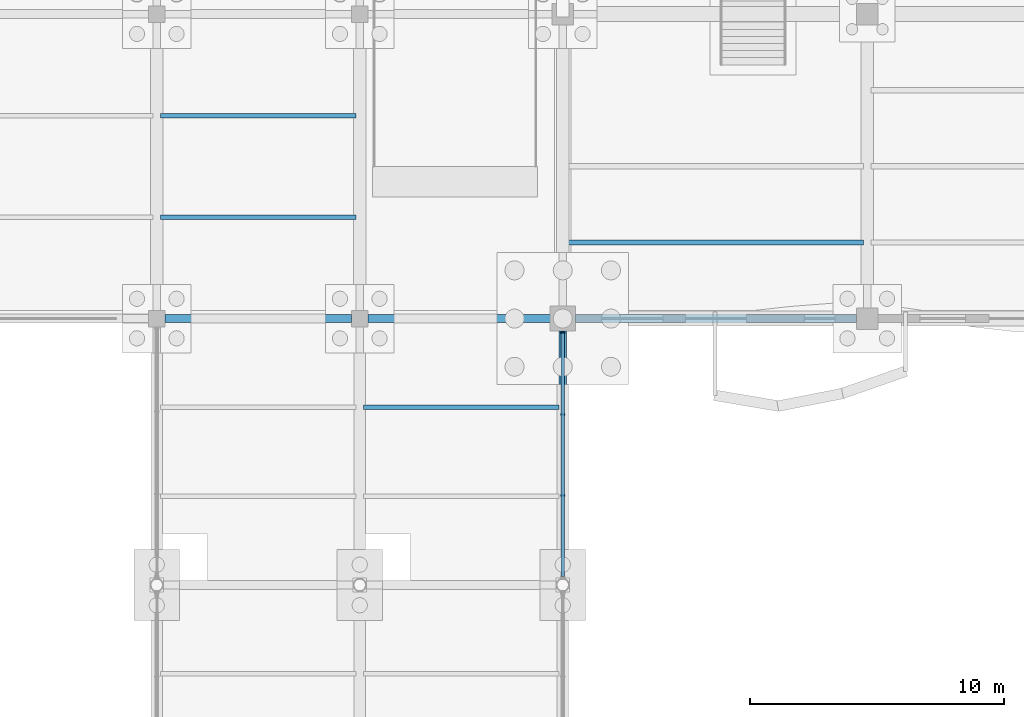
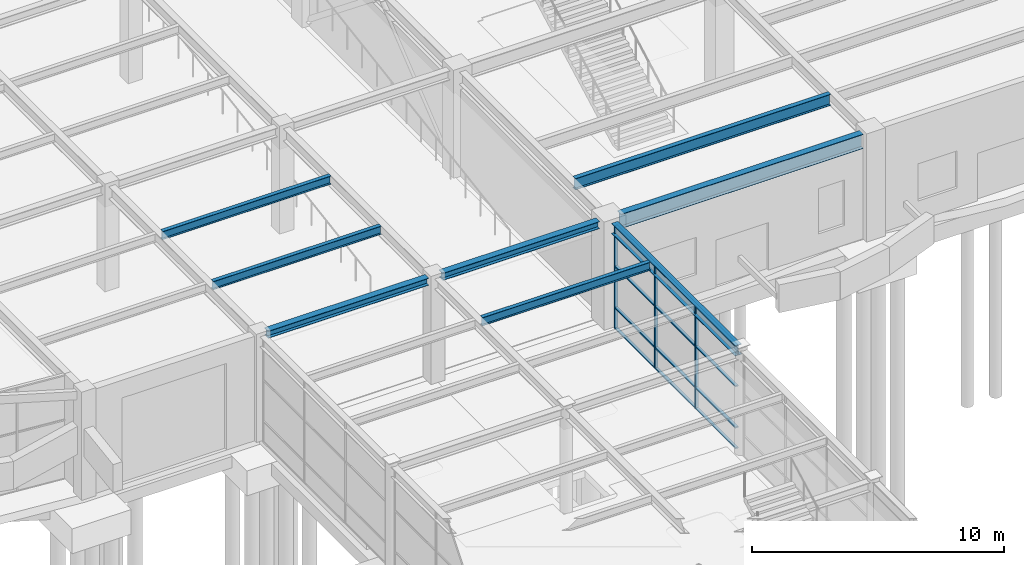
# One storey, part 28 of 85: 8 beams, 7 members, 1 element without a shape of its own.
"""IFC4 building model written with IfcOpenShell, lengths in metres."""

from ifc_helpers import new_model, si_unit, direction, frame, origin, origin_2d, place, context, subcontext, project, spatial, rectangle, i_section, extrude, material, layer, layer_set, material_profile, profile_set, type_object, element, aggregate, save


model = new_model("IFC4")

# Units and contexts
model_context = context("Model", 3, precision=1e-05, world=origin(), true_north=direction((0.0, 1.0)))
body_context = subcontext(model_context, "Body", "Model", "MODEL_VIEW")
ifc_project = project(units=[si_unit("LENGTHUNIT", "METRE"), si_unit("AREAUNIT", "SQUARE_METRE"), si_unit("VOLUMEUNIT", "CUBIC_METRE"), si_unit("PLANEANGLEUNIT", "RADIAN"), si_unit("MASSUNIT", "GRAM", prefix="KILO")], contexts=[model_context])

# Site, building, storey
site_placement = place(None, origin())
site = spatial("IfcSite", under=ifc_project, at=site_placement, CompositionType="ELEMENT")
building_placement = place(site_placement, origin())
building = spatial("IfcBuilding", under=site, at=building_placement, Name="Keelwater Ferry Terminal", CompositionType="ELEMENT")
storey_placement = place(building_placement, origin())
storey = spatial("IfcBuildingStorey", under=building, at=storey_placement, Name="L00", CompositionType="ELEMENT", Elevation=0.0)

# Curtain wall, members
ifc_material_1 = material(Name="Thermally broken unitised aluminium and triple glass", Category="aluminium")
ifc_layer = layer(ifc_material_1, 0.179931640625)
ifc_layer_set = layer_set([ifc_layer], Name="Thermally broken unitised aluminium and triple glass")
curtain_wall_type = type_object("IfcCurtainWallType", Name="CW-12 Unitised Curtain Wall 9596x4950", PredefinedType="USERDEFINED", material=ifc_layer_set)
curtain_wall_placement = place(storey_placement, origin())
curtain_wall = element("IfcCurtainWall", 1, at=curtain_wall_placement, inside=storey, type_object=curtain_wall_type, Name="Unitised Curtain Wall CW-L00-057", ObjectType="UNITISED CURTAIN WALL", PredefinedType="USERDEFINED")
ifc_material_2 = material(Name="Aluminium mullion", Category="aluminium")
ifc_material_profile_1 = material_profile(ifc_material_2, rectangle(XDim=0.06005859375, YDim=0.14990234375, at=origin_2d()), Name="CWM-03")
ifc_profile_set_1 = profile_set([ifc_material_profile_1], Name="Aluminium mullion")
member_type_1 = type_object("IfcMemberType", Name="CWM-03 Curtain Mullion 60x150", PredefinedType="MULLION", material=ifc_profile_set_1)
member_1_placement = place(storey_placement, frame((48.0, 35.027587890625, 0.0), z_axis=(0.0, 0.0, 1.0), x_axis=(0.0, 1.0, 0.0)))
member_1 = element("IfcMember", 2, at=member_1_placement, type_object=member_type_1, Name="CW-L00-057 Mullion 2", PredefinedType="MULLION", context=body_context, shape_type="SweptSolid", body=[
    extrude(rectangle(XDim=0.06005859375, YDim=0.14990234375, at=origin_2d()), origin(), (0.0, 0.0, 1.0), 4.949951171875),
])
member_2_placement = place(storey_placement, frame((48.0, 38.226318359375, 0.0), z_axis=(0.0, 0.0, 1.0), x_axis=(0.0, 1.0, 0.0)))
member_2 = element("IfcMember", 3, at=member_2_placement, type_object=member_type_1, Name="CW-L00-057 Mullion 3", PredefinedType="MULLION", context=body_context, shape_type="SweptSolid", body=[
    extrude(rectangle(XDim=0.06005859375, YDim=0.14990234375, at=origin_2d()), origin(), (0.0, 0.0, 1.0), 4.949951171875),
])
member_3_placement = place(storey_placement, frame((48.0, 41.425048828125, 0.0), z_axis=(0.0, 0.0, 1.0), x_axis=(0.0, 1.0, 0.0)))
member_3 = element("IfcMember", 4, at=member_3_placement, type_object=member_type_1, Name="CW-L00-057 Mullion 4", PredefinedType="MULLION", context=body_context, shape_type="SweptSolid", body=[
    extrude(rectangle(XDim=0.06005859375, YDim=0.14990234375, at=origin_2d()), origin(), (0.0, 0.0, 1.0), 4.949951171875),
])
ifc_material_3 = material(Name="Aluminium mullion", Category="aluminium")
ifc_material_profile_2 = material_profile(ifc_material_3, rectangle(XDim=0.135009765625, YDim=0.06005859375, at=origin_2d()), Name="CWT-03")
ifc_profile_set_2 = profile_set([ifc_material_profile_2], Name="Aluminium mullion")
member_type_2 = type_object("IfcMemberType", Name="CWT-03 Curtain Transom 60x135", PredefinedType="USERDEFINED", material=ifc_profile_set_2)
member_4_placement = place(storey_placement, frame((48.0, 31.8291015625, 0.0), z_axis=(0.0, 1.0, 0.0), x_axis=(-1.0, 0.0, 0.0)))
member_4 = element("IfcMember", 5, at=member_4_placement, type_object=member_type_2, Name="CW-L00-057 Transom 1", ObjectType="TRANSOM", PredefinedType="USERDEFINED", context=body_context, shape_type="SweptSolid", body=[
    extrude(rectangle(XDim=0.135009765625, YDim=0.06005859375, at=origin_2d()), origin(), (0.0, 0.0, 1.0), 9.595947265625),
])
member_5_placement = place(storey_placement, frame((48.0, 31.8291015625, 1.0), z_axis=(0.0, 1.0, 0.0), x_axis=(-1.0, 0.0, 0.0)))
member_5 = element("IfcMember", 6, at=member_5_placement, type_object=member_type_2, Name="CW-L00-057 Transom 2", ObjectType="TRANSOM", PredefinedType="USERDEFINED", context=body_context, shape_type="SweptSolid", body=[
    extrude(rectangle(XDim=0.135009765625, YDim=0.06005859375, at=origin_2d()), origin(), (0.0, 0.0, 1.0), 9.595947265625),
])
member_6_placement = place(storey_placement, frame((48.0, 31.8291015625, 3.0), z_axis=(0.0, 1.0, 0.0), x_axis=(-1.0, 0.0, 0.0)))
member_6 = element("IfcMember", 7, at=member_6_placement, type_object=member_type_2, Name="CW-L00-057 Transom 3", ObjectType="TRANSOM", PredefinedType="USERDEFINED", context=body_context, shape_type="SweptSolid", body=[
    extrude(rectangle(XDim=0.135009765625, YDim=0.06005859375, at=origin_2d()), origin(), (0.0, 0.0, 1.0), 9.595947265625),
])
member_7_placement = place(storey_placement, frame((48.0, 31.8291015625, 4.949951171875), z_axis=(0.0, 1.0, 0.0), x_axis=(-1.0, 0.0, 0.0)))
member_7 = element("IfcMember", 8, at=member_7_placement, type_object=member_type_2, Name="CW-L00-057 Transom 4", ObjectType="TRANSOM", PredefinedType="USERDEFINED", context=body_context, shape_type="SweptSolid", body=[
    extrude(rectangle(XDim=0.135009765625, YDim=0.06005859375, at=origin_2d()), origin(), (0.0, 0.0, 1.0), 9.595947265625),
])
aggregate(curtain_wall, [member_1, member_2, member_3, member_4, member_5, member_6, member_7])

# Beams
ifc_material_4 = material(Name="Steel S355", Category="steel")
ifc_material_profile_3 = material_profile(ifc_material_4, i_section(OverallWidth=0.300048828125, OverallDepth=0.699951171875, WebThickness=0.01708984375, FlangeThickness=0.031982421875, at=origin_2d()), Name="HEB 700")
ifc_profile_set_3 = profile_set([ifc_material_profile_3], Name="Steel S355")
beam_type_1 = type_object("IfcBeamType", Name="G2E HEB 700", PredefinedType="BEAM", material=ifc_profile_set_3)
beam_1_placement = place(storey_placement, frame((48.489990234375, 42.0, 4.7099609375), z_axis=(1.0, 0.0, 0.0), x_axis=(0.0, 1.0, 0.0)))
element("IfcBeam", 9, at=beam_1_placement, inside=storey, type_object=beam_type_1, Name="Beam BM-L00-0020", PredefinedType="BEAM", context=body_context, shape_type="SweptSolid", body=[
    extrude(i_section(OverallWidth=0.300048828125, OverallDepth=0.699951171875, WebThickness=0.01708984375, FlangeThickness=0.031982421875, at=origin_2d()), origin(), (0.0, 0.0, 1.0), 11.093994140625),
])
ifc_material_5 = material(Name="Steel S355", Category="steel")
ifc_material_profile_4 = material_profile(ifc_material_5, i_section(OverallWidth=0.300048828125, OverallDepth=0.5, WebThickness=0.014404296875, FlangeThickness=0.028076171875, at=origin_2d()), Name="HEB 500")
ifc_profile_set_4 = profile_set([ifc_material_profile_4], Name="Steel S355")
beam_type_2 = type_object("IfcBeamType", Name="G5E HEB 500", PredefinedType="BEAM", material=ifc_profile_set_4)
beam_2_placement = place(storey_placement, frame((48.0, 31.7080078125, 4.81005859375), z_axis=(0.0, 1.0, 0.0), x_axis=(-1.0, 0.0, 0.0)))
element("IfcBeam", 10, at=beam_2_placement, inside=storey, type_object=beam_type_2, Name="Beam BM-L00-0187", PredefinedType="BEAM", context=body_context, shape_type="SweptSolid", body=[
    extrude(i_section(OverallWidth=0.300048828125, OverallDepth=0.5, WebThickness=0.014404296875, FlangeThickness=0.028076171875, at=origin_2d()), origin(), (0.0, 0.0, 1.0), 9.802001953125),
])
ifc_material_6 = material(Name="Steel S355", Category="steel")
ifc_material_profile_5 = material_profile(ifc_material_6, i_section(OverallWidth=0.2099609375, OverallDepth=0.550048828125, WebThickness=0.010986328125, FlangeThickness=0.01708984375, at=origin_2d()), Name="IPE 550")
ifc_profile_set_5 = profile_set([ifc_material_profile_5], Name="Steel S355")
beam_type_3 = type_object("IfcBeamType", Name="J2 IPE 550", PredefinedType="JOIST", material=ifc_profile_set_5)
beam_3_placement = place(storey_placement, frame((48.14990234375, 45.0, 4.784912109375), z_axis=(1.0, 0.0, 0.0), x_axis=(0.0, 1.0, 0.0)))
element("IfcBeam", 11, at=beam_3_placement, inside=storey, type_object=beam_type_3, Name="Beam BM-L00-0346", PredefinedType="JOIST", context=body_context, shape_type="SweptSolid", body=[
    extrude(i_section(OverallWidth=0.2099609375, OverallDepth=0.550048828125, WebThickness=0.010986328125, FlangeThickness=0.01708984375, at=origin_2d()), origin(), (0.0, 0.0, 1.0), 11.7001953125),
])
ifc_material_7 = material(Name="Steel S355", Category="steel")
ifc_material_profile_6 = material_profile(ifc_material_7, i_section(OverallWidth=0.179931640625, OverallDepth=0.39990234375, WebThickness=0.008544921875, FlangeThickness=0.013427734375, at=origin_2d()), Name="IPE 400")
ifc_profile_set_6 = profile_set([ifc_material_profile_6], Name="Steel S355")
beam_type_4 = type_object("IfcBeamType", Name="J5 IPE 400", PredefinedType="JOIST", material=ifc_profile_set_6)
for number, where, z_axis, x_axis, name in (
    (12, (32.14990234375, 46.0, 4.860107421875), (1.0, 0.0, 0.0), (0.0, 1.0, 0.0), "Beam BM-L00-0326"),
    (13, (32.14990234375, 50.0, 4.860107421875), (1.0, 0.0, 0.0), (0.0, 1.0, 0.0), "Beam BM-L00-0327"),
    (14, (40.14990234375, 38.5, 4.860107421875), (1.0, 0.0, 0.0), (0.0, 1.0, 0.0), "Beam BM-L00-0341"),
):
    element("IfcBeam", number, at=place(storey_placement, frame(where, z_axis=z_axis, x_axis=x_axis)), inside=storey, type_object=beam_type_4, Name=name, PredefinedType="JOIST", context=body_context, shape_type="SweptSolid", body=[
        extrude(i_section(OverallWidth=0.179931640625, OverallDepth=0.39990234375, WebThickness=0.008544921875, FlangeThickness=0.013427734375, at=origin_2d()), origin(), (0.0, 0.0, 1.0), 7.7001953125),
    ])
ifc_material_8 = material(Name="Steel S355", Category="steel")
ifc_material_profile_7 = material_profile(ifc_material_8, i_section(OverallWidth=0.300048828125, OverallDepth=0.35009765625, WebThickness=0.010009765625, FlangeThickness=0.017578125, at=origin_2d()), Name="HEA 360")
ifc_profile_set_7 = profile_set([ifc_material_profile_7], Name="Steel S355")
beam_type_5 = type_object("IfcBeamType", Name="SP1E HEA 360", PredefinedType="SPANDREL", material=ifc_profile_set_7)
beam_4_placement = place(storey_placement, frame((32.318115234375, 42.0, 4.885009765625), z_axis=(1.0, 0.0, 0.0), x_axis=(0.0, 1.0, 0.0)))
element("IfcBeam", 15, at=beam_4_placement, inside=storey, type_object=beam_type_5, Name="Beam BM-L00-0018", PredefinedType="SPANDREL", context=body_context, shape_type="SweptSolid", body=[
    extrude(i_section(OverallWidth=0.300048828125, OverallDepth=0.35009765625, WebThickness=0.010009765625, FlangeThickness=0.017578125, at=origin_2d()), origin(), (0.0, 0.0, 1.0), 7.36376953125),
])
beam_5_placement = place(storey_placement, frame((40.318115234375, 42.0, 4.885009765625), z_axis=(1.0, 0.0, 0.0), x_axis=(0.0, 1.0, 0.0)))
element("IfcBeam", 16, at=beam_5_placement, inside=storey, type_object=beam_type_5, Name="Beam BM-L00-0019", PredefinedType="SPANDREL", context=body_context, shape_type="SweptSolid", body=[
    extrude(i_section(OverallWidth=0.300048828125, OverallDepth=0.35009765625, WebThickness=0.010009765625, FlangeThickness=0.017578125, at=origin_2d()), origin(), (0.0, 0.0, 1.0), 7.19189453125),
])

save(model, "model.ifc")
